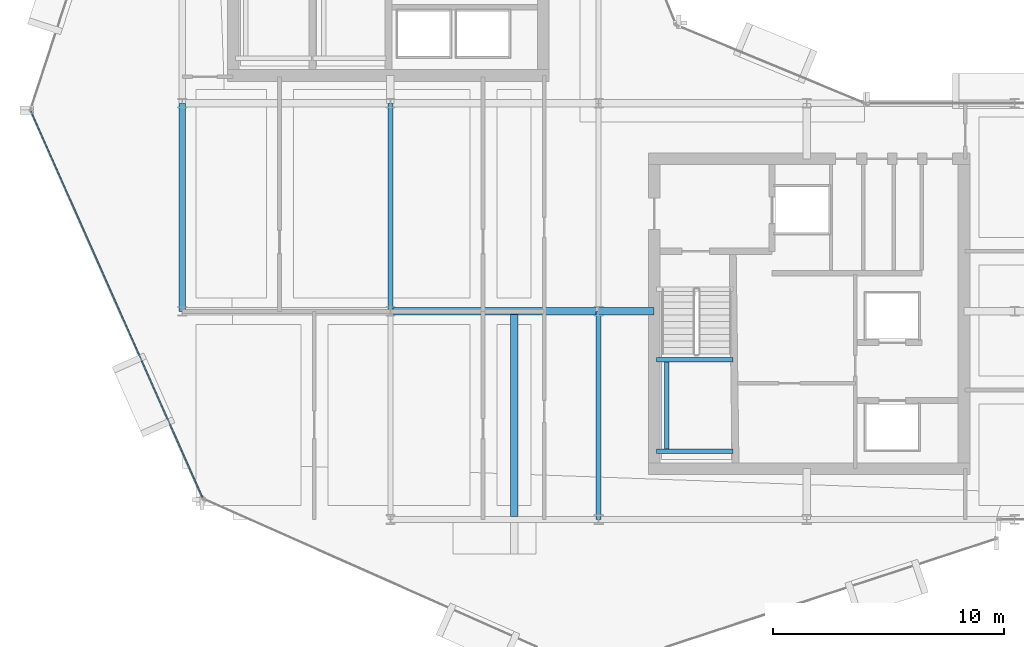
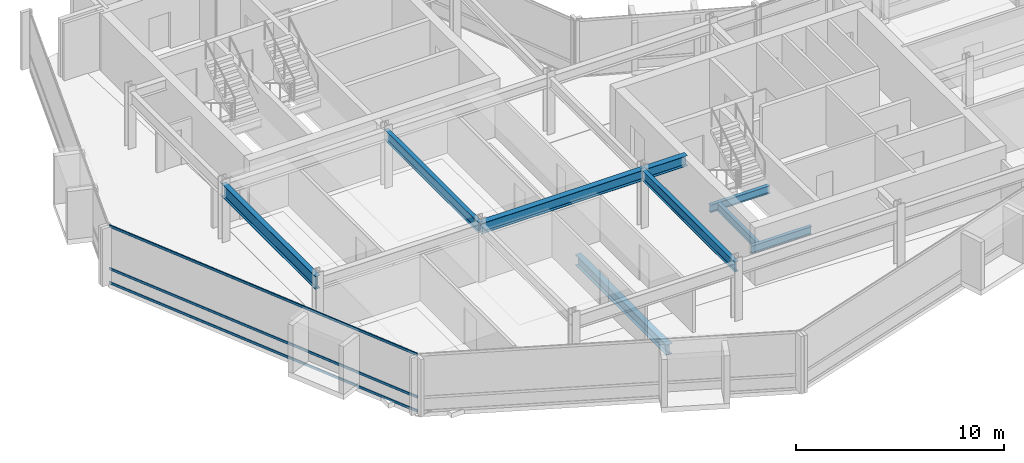
# One storey, part 5 of 27: 9 beams, 3 members, 1 element without a shape of its own.
"""IFC4 building model written with IfcOpenShell, lengths in metres."""

from ifc_helpers import new_model, si_unit, direction, frame, origin, origin_2d, place, context, subcontext, project, spatial, hollow_rectangle, i_section, extrude, material, layer, layer_set, material_profile, profile_set, type_object, element, aggregate, save


model = new_model("IFC4")

# Units and contexts
model_context = context("Model", 3, precision=1e-05, world=origin(), true_north=direction((0.0, 1.0)))
body_context = subcontext(model_context, "Body", "Model", "MODEL_VIEW")
ifc_project = project(units=[si_unit("LENGTHUNIT", "METRE"), si_unit("AREAUNIT", "SQUARE_METRE"), si_unit("VOLUMEUNIT", "CUBIC_METRE"), si_unit("PLANEANGLEUNIT", "RADIAN"), si_unit("MASSUNIT", "GRAM", prefix="KILO")], contexts=[model_context])

# Site, building, storey
site_placement = place(None, origin())
site = spatial("IfcSite", under=ifc_project, at=site_placement, CompositionType="ELEMENT")
building_placement = place(site_placement, origin())
building = spatial("IfcBuilding", under=site, at=building_placement, Name="Solvaryn Broadcast Tower", CompositionType="ELEMENT")
storey_placement = place(building_placement, frame((0.0, 0.0, 192.699951171875)))
storey = spatial("IfcBuildingStorey", under=building, at=storey_placement, Name="L48", CompositionType="ELEMENT", Elevation=192.699951171875)

# Beams
ifc_material_1 = material(Name="Steel ASTM A992 Grade 50", Category="steel")
ifc_material_profile_1 = material_profile(ifc_material_1, i_section(OverallWidth=0.323974609375, OverallDepth=0.611083984375, WebThickness=0.0126953125, FlangeThickness=0.01904296875, FilletRadius=0.014892578125, at=origin_2d()))
ifc_profile_set_1 = profile_set([ifc_material_profile_1], Name="Steel ASTM A992 Grade 50")
beam_type_1 = type_object("IfcBeamType", Name="BM-B1-W24X104", PredefinedType="BEAM", material=ifc_profile_set_1)
beam_1_placement = place(storey_placement, frame((23.35009765625, 17.875, -0.58544921875), z_axis=(0.0, -1.0, 0.0), x_axis=(1.0, 0.0, 0.0)))
element("IfcBeam", 1, at=beam_1_placement, inside=storey, type_object=beam_type_1, Name="L48 Bay-Box Back-Span Beam 1", PredefinedType="BEAM", context=body_context, shape_type="SweptSolid", body=[
    extrude(i_section(OverallWidth=0.323974609375, OverallDepth=0.611083984375, WebThickness=0.0126953125, FlangeThickness=0.01904296875, FilletRadius=0.014892578125, at=origin_2d()), origin(), (0.0, 0.0, 1.0), 8.75),
])
beam_2_placement = place(storey_placement, frame((18.0, 18.0, 3.064453125), z_axis=(1.0, 0.0, 0.0), x_axis=(0.0, 1.0, 0.0)))
element("IfcBeam", 2, at=beam_2_placement, inside=storey, type_object=beam_type_1, Name="L48 Primary Beam X (18-27 @ Y=18)", PredefinedType="BEAM", context=body_context, shape_type="SweptSolid", body=[
    extrude(i_section(OverallWidth=0.323974609375, OverallDepth=0.611083984375, WebThickness=0.0126953125, FlangeThickness=0.01904296875, FilletRadius=0.014892578125, at=origin_2d()), origin(), (0.0, 0.0, 1.0), 9.0),
])
beam_3_placement = place(storey_placement, frame((27.0, 18.0, 3.064453125), z_axis=(1.0, 0.0, 0.0), x_axis=(0.0, 1.0, 0.0)))
element("IfcBeam", 3, at=beam_3_placement, inside=storey, type_object=beam_type_1, Name="L48 Core Tie Beam CTE4", PredefinedType="BEAM", context=body_context, shape_type="SweptSolid", body=[
    extrude(i_section(OverallWidth=0.323974609375, OverallDepth=0.611083984375, WebThickness=0.0126953125, FlangeThickness=0.01904296875, FilletRadius=0.014892578125, at=origin_2d()), origin(), (0.0, 0.0, 1.0), 2.39990234375),
])
ifc_material_2 = material(Name="Steel ASTM A992 Grade 50", Category="steel")
ifc_material_profile_2 = material_profile(ifc_material_2, i_section(OverallWidth=0.22802734375, OverallDepth=0.60791015625, WebThickness=0.01123046875, FlangeThickness=0.017333984375, FilletRadius=0.014892578125, at=origin_2d()))
ifc_profile_set_2 = profile_set([ifc_material_profile_2], Name="Steel ASTM A992 Grade 50")
beam_type_2 = type_object("IfcBeamType", Name="BM-B2-W24X76", PredefinedType="BEAM", material=ifc_profile_set_2)
for number, where, z_axis, x_axis, name in (
    (4, (18.0, 18.0, 3.066162109375), (0.0, 1.0, 0.0), (-1.0, 0.0, 0.0), "L48 Primary Beam Y (18-27 @ X=18)"),
    (5, (27.0, 9.0, 3.066162109375), (0.0, 1.0, 0.0), (-1.0, 0.0, 0.0), "L48 Primary Beam Y (9-18 @ X=27)"),
):
    element("IfcBeam", number, at=place(storey_placement, frame(where, z_axis=z_axis, x_axis=x_axis)), inside=storey, type_object=beam_type_2, Name=name, PredefinedType="BEAM", context=body_context, shape_type="SweptSolid", body=[
        extrude(i_section(OverallWidth=0.22802734375, OverallDepth=0.60791015625, WebThickness=0.01123046875, FlangeThickness=0.017333984375, FilletRadius=0.014892578125, at=origin_2d()), origin(), (0.0, 0.0, 1.0), 9.0),
    ])
ifc_material_3 = material(Name="Steel ASTM A992 Grade 50", Category="steel")
ifc_material_profile_3 = material_profile(ifc_material_3, i_section(OverallWidth=0.18994140625, OverallDepth=0.45703125, WebThickness=0.009033203125, FlangeThickness=0.014404296875, FilletRadius=0.011962890625, at=origin_2d()))
ifc_profile_set_3 = profile_set([ifc_material_profile_3], Name="Steel ASTM A992 Grade 50")
beam_type_3 = type_object("IfcBeamType", Name="BM-B4-W18X50", PredefinedType="BEAM", material=ifc_profile_set_3)
for number, where, z_axis, x_axis, name in (
    (6, (29.5, 11.949951171875, 1.421630859375), (1.0, 0.0, 0.0), (0.0, 1.0, 0.0), "L48 ST3 Landing Support Beam 1A"),
    (7, (29.5, 15.909912109375, 1.421630859375), (1.0, 0.0, 0.0), (0.0, 1.0, 0.0), "L48 ST3 Landing Support Beam 1B"),
):
    element("IfcBeam", number, at=place(storey_placement, frame(where, z_axis=z_axis, x_axis=x_axis)), inside=storey, type_object=beam_type_3, Name=name, PredefinedType="BEAM", context=body_context, shape_type="SweptSolid", body=[
        extrude(i_section(OverallWidth=0.18994140625, OverallDepth=0.45703125, WebThickness=0.009033203125, FlangeThickness=0.014404296875, FilletRadius=0.011962890625, at=origin_2d()), origin(), (0.0, 0.0, 1.0), 3.320068359375),
    ])
beam_4_placement = place(storey_placement, frame((29.949951171875, 11.949951171875, 1.421630859375), z_axis=(0.0, 1.0, 0.0), x_axis=(-1.0, 0.0, 0.0)))
element("IfcBeam", 8, at=beam_4_placement, inside=storey, type_object=beam_type_3, Name="L48 ST3 Landing Cross Stringer 1C", PredefinedType="BEAM", context=body_context, shape_type="SweptSolid", body=[
    extrude(i_section(OverallWidth=0.18994140625, OverallDepth=0.45703125, WebThickness=0.009033203125, FlangeThickness=0.014404296875, FilletRadius=0.011962890625, at=origin_2d()), origin(), (0.0, 0.0, 1.0), 3.9599609375),
])
ifc_material_4 = material(Name="Steel ASTM A992 Grade 50", Category="steel")
ifc_material_profile_4 = material_profile(ifc_material_4, i_section(OverallWidth=0.26708984375, OverallDepth=0.76611328125, WebThickness=0.014892578125, FlangeThickness=0.023681640625, FilletRadius=0.01806640625, at=origin_2d()))
ifc_profile_set_4 = profile_set([ifc_material_profile_4], Name="Steel ASTM A992 Grade 50")
beam_type_4 = type_object("IfcBeamType", Name="BM-SP2-W30X124", PredefinedType="USERDEFINED", material=ifc_profile_set_4)
beam_5_placement = place(storey_placement, frame((9.0, 18.0, 2.987060546875), z_axis=(0.0, 1.0, 0.0), x_axis=(-1.0, 0.0, 0.0)))
element("IfcBeam", 9, at=beam_5_placement, inside=storey, type_object=beam_type_4, Name="L48 Spandrel Beam Y (18-27 @ X=9)", ObjectType="SPANDREL", PredefinedType="USERDEFINED", context=body_context, shape_type="SweptSolid", body=[
    extrude(i_section(OverallWidth=0.26708984375, OverallDepth=0.76611328125, WebThickness=0.014892578125, FlangeThickness=0.023681640625, FilletRadius=0.01806640625, at=origin_2d()), origin(), (0.0, 0.0, 1.0), 9.0),
])

# Curtain wall, members
ifc_material_5 = material(Name="Aluminium and Terracotta Unitised Curtain Wall", Category="masonry")
ifc_layer = layer(ifc_material_5, 0.199951171875)
ifc_layer_set = layer_set([ifc_layer], Name="CW-SYS2-LOWMID")
curtain_wall_type = type_object("IfcCurtainWallType", Name="CW-SYS2-LOWMID", PredefinedType="NOTDEFINED", material=ifc_layer_set)
curtain_wall_placement = place(storey_placement, origin())
curtain_wall = element("IfcCurtainWall", 10, at=curtain_wall_placement, inside=storey, type_object=curtain_wall_type, Name="L48 Curtain Wall DR2", PredefinedType="NOTDEFINED")
ifc_material_6 = material(Name="Anodised Aluminium 6063-T6", Category="aluminium")
ifc_material_profile_5 = material_profile(ifc_material_6, hollow_rectangle(XDim=0.06494140625, YDim=0.14990234375, WallThickness=0.00390625, InnerFilletRadius=0.00390625, OuterFilletRadius=0.008056640625, at=origin_2d()))
ifc_profile_set_5 = profile_set([ifc_material_profile_5], Name="Anodised Aluminium 6063-T6")
member_type = type_object("IfcMemberType", Name="CW-TRN-150", PredefinedType="USERDEFINED", material=ifc_profile_set_5)
member_1_placement = place(storey_placement, frame((2.457275390625, 26.651123046875, 0.030029296875), z_axis=(0.405901653299, -0.913916761992, 0.0), x_axis=(0.913916761992, 0.405901653299, 0.0)))
member_1 = element("IfcMember", 11, at=member_1_placement, type_object=member_type, Name="CWS2 transom 1.1", ObjectType="TRANSOM", PredefinedType="USERDEFINED", context=body_context, shape_type="SweptSolid", body=[
    extrude(hollow_rectangle(XDim=0.06494140625, YDim=0.14990234375, WallThickness=0.00390625, InnerFilletRadius=0.00390625, OuterFilletRadius=0.008056640625, at=origin_2d()), origin(), (0.0, 0.0, 1.0), 18.27099609375),
])
member_2_placement = place(storey_placement, frame((2.457275390625, 26.651123046875, 0.85009765625), z_axis=(0.405901653299, -0.913916761992, 0.0), x_axis=(0.913916761992, 0.405901653299, 0.0)))
member_2 = element("IfcMember", 12, at=member_2_placement, type_object=member_type, Name="CWS2 transom 1.2", ObjectType="TRANSOM", PredefinedType="USERDEFINED", context=body_context, shape_type="SweptSolid", body=[
    extrude(hollow_rectangle(XDim=0.06494140625, YDim=0.14990234375, WallThickness=0.00390625, InnerFilletRadius=0.00390625, OuterFilletRadius=0.008056640625, at=origin_2d()), origin(), (0.0, 0.0, 1.0), 18.27099609375),
])
member_3_placement = place(storey_placement, frame((2.457275390625, 26.651123046875, 3.340087890625), z_axis=(0.405901653299, -0.913916761992, 0.0), x_axis=(0.913916761992, 0.405901653299, 0.0)))
member_3 = element("IfcMember", 13, at=member_3_placement, type_object=member_type, Name="CWS2 transom 1.3", ObjectType="TRANSOM", PredefinedType="USERDEFINED", context=body_context, shape_type="SweptSolid", body=[
    extrude(hollow_rectangle(XDim=0.06494140625, YDim=0.14990234375, WallThickness=0.00390625, InnerFilletRadius=0.00390625, OuterFilletRadius=0.008056640625, at=origin_2d()), origin(), (0.0, 0.0, 1.0), 18.27099609375),
])
aggregate(curtain_wall, [member_1, member_2, member_3])

save(model, "model.ifc")
